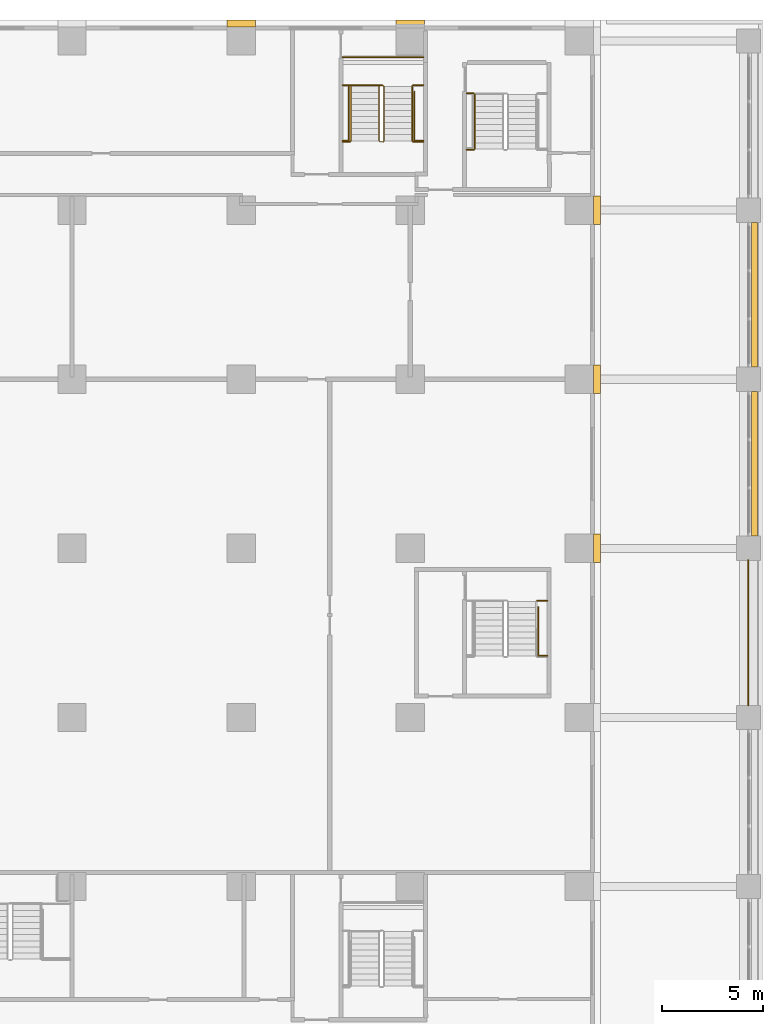
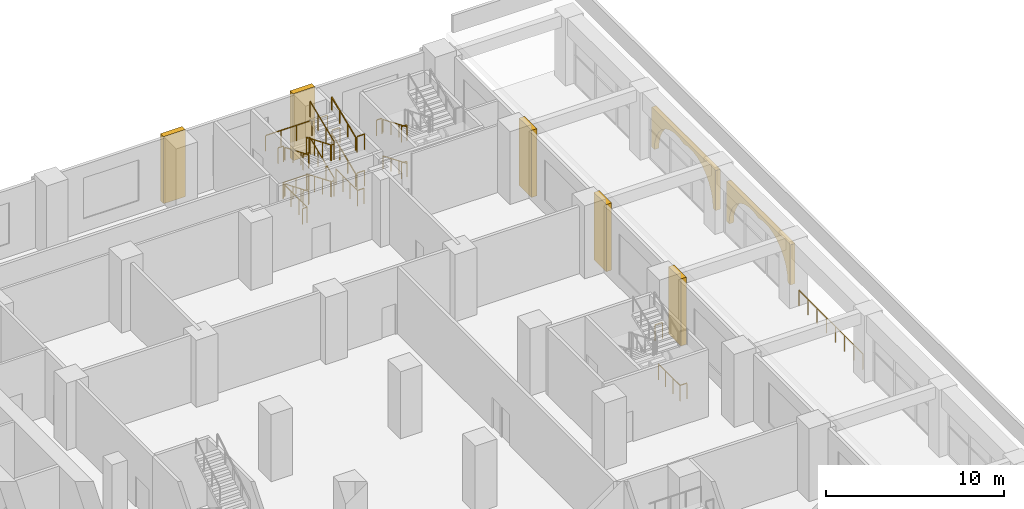
# One storey, part 28 of 29: 22 railings, 7 coverings.
"""IFC4 building model written with IfcOpenShell, lengths in metres."""

from ifc_helpers import new_model, si_unit, direction, frame, origin, origin_2d, place, context, subcontext, project, spatial, polyline, rectangle, outline, extrude, material, type_object, element, save


model = new_model("IFC4")

# Units and contexts
model_context = context("Model", 3, precision=1e-05, world=origin(), true_north=direction((0.0, 1.0)))
body_context = subcontext(model_context, "Body", "Model", "MODEL_VIEW")
ifc_project = project(units=[si_unit("LENGTHUNIT", "METRE"), si_unit("AREAUNIT", "SQUARE_METRE"), si_unit("VOLUMEUNIT", "CUBIC_METRE"), si_unit("PLANEANGLEUNIT", "RADIAN"), si_unit("MASSUNIT", "GRAM", prefix="KILO")], contexts=[model_context])

# Site, building, storey
site_placement = place(None, origin())
site = spatial("IfcSite", under=ifc_project, at=site_placement, CompositionType="ELEMENT")
building_placement = place(site_placement, origin())
building = spatial("IfcBuilding", under=site, at=building_placement, Name="Vermilion Ogive Tower", CompositionType="ELEMENT")
storey_placement = place(building_placement, frame((0.0, 0.0, 7.5)))
storey = spatial("IfcBuildingStorey", under=building, at=storey_placement, Name="L01", CompositionType="ELEMENT", Elevation=7.5)

# Railing
ifc_material_1 = material(Name="Stainless steel and glass", Category="steel")
railing_type_1 = type_object("IfcRailingType", Name="Arcade guard", PredefinedType="GUARDRAIL", material=ifc_material_1)
railing_1_placement = place(storey_placement, frame((58.800048828125, -3.60009765625, 0.0)))
element("IfcRailing", 1, at=railing_1_placement, inside=storey, type_object=railing_type_1, Name="Arcade guard L01", PredefinedType="GUARDRAIL", context=body_context, shape_type="SweptSolid", body=[
    extrude(rectangle(XDim=0.048095703125, YDim=0.048095703125, at=origin_2d()), frame((0.0, 0.0, 1.076171875), z_axis=(0.0, 1.0, 0.0), x_axis=(-1.0, 0.0, 0.0)), (0.0, 0.0, 1.0), 7.2001953125),
    extrude(rectangle(XDim=0.0419921875, YDim=0.0419921875, at=origin_2d()), origin(), (0.0, 0.0, 1.0), 1.052001953125),
    extrude(rectangle(XDim=0.0419921875, YDim=0.0419921875, at=origin_2d()), frame((0.0, 1.028564453125, 0.0)), (0.0, 0.0, 1.0), 1.052001953125),
    extrude(rectangle(XDim=0.0419921875, YDim=0.0419921875, at=origin_2d()), frame((0.0, 2.05712890625, 0.0)), (0.0, 0.0, 1.0), 1.052001953125),
    extrude(rectangle(XDim=0.0419921875, YDim=0.0419921875, at=origin_2d()), frame((0.0, 3.085693359375, 0.0)), (0.0, 0.0, 1.0), 1.052001953125),
    extrude(rectangle(XDim=0.0419921875, YDim=0.0419921875, at=origin_2d()), frame((0.0, 4.114501953125, 0.0)), (0.0, 0.0, 1.0), 1.052001953125),
    extrude(rectangle(XDim=0.0419921875, YDim=0.0419921875, at=origin_2d()), frame((0.0, 5.14306640625, 0.0)), (0.0, 0.0, 1.0), 1.052001953125),
    extrude(rectangle(XDim=0.0419921875, YDim=0.0419921875, at=origin_2d()), frame((0.0, 6.171630859375, 0.0)), (0.0, 0.0, 1.0), 1.052001953125),
    extrude(rectangle(XDim=0.0419921875, YDim=0.0419921875, at=origin_2d()), frame((0.0, 7.2001953125, 0.0)), (0.0, 0.0, 1.0), 1.052001953125),
])

# Coverings
ifc_material_2 = material(Name="Stone cladding", Category="masonry")
covering_type_1 = type_object("IfcCoveringType", Name="Arcade ogive head", PredefinedType="CLADDING", material=ifc_material_2)
for number, where, z_axis, x_axis, name in (
    (2, (58.949951171875, 8.39990234375, 3.39990234375), (1.0, 0.0, 0.0), (0.0, 1.0, 0.0), "Arcade stone head L01 5"),
    (3, (58.949951171875, 16.800048828125, 3.39990234375), (1.0, 0.0, 0.0), (0.0, 1.0, 0.0), "Arcade stone head L01 6"),
):
    element("IfcCovering", number, at=place(storey_placement, frame(where, z_axis=z_axis, x_axis=x_axis)), inside=storey, type_object=covering_type_1, Name=name, PredefinedType="CLADDING", context=body_context, shape_type="SweptSolid", body=[
        extrude(outline(polyline([(-3.300048828125, -2.75), (-3.244873046875, -2.225830078125), (-3.08203125, -1.724365234375), (-2.818603515625, -1.267822265625), (-2.466064453125, -0.8759765625), (-2.039794921875, -0.56591796875), (-1.558349609375, -0.351318359375), (-1.042724609375, -0.2412109375), (-0.515625, -0.240966796875), (0.0, -0.35009765625), (0.515625, -0.240966796875), (1.042724609375, -0.2412109375), (1.558349609375, -0.351318359375), (2.039794921875, -0.56591796875), (2.466064453125, -0.8759765625), (2.818603515625, -1.267822265625), (3.08203125, -1.724365234375), (3.244873046875, -2.225830078125), (3.300048828125, -2.75), (3.60009765625, -2.75), (3.60009765625, 0.0), (-3.60009765625, 0.0), (-3.60009765625, -2.75), (-3.300048828125, -2.75)])), origin(), (0.0, 0.0, 1.0), 0.300048828125),
    ])

# Railings
ifc_material_3 = material(Name="Steel S355 painted", Category="steel")
railing_type_2 = type_object("IfcRailingType", Name="Stair guard 1100", PredefinedType="GUARDRAIL", material=ifc_material_3)
railing_2_placement = place(storey_placement, frame((40.64990234375, 27.199951171875, 0.0)))
element("IfcRailing", 4, at=railing_2_placement, inside=storey, type_object=railing_type_2, Name="L01 PS2 stair guard 8", PredefinedType="GUARDRAIL", context=body_context, shape_type="SweptSolid", body=[
    extrude(rectangle(XDim=0.048095703125, YDim=0.048095703125, at=origin_2d()), frame((0.0, 0.0, 1.076171875), z_axis=(-1.0, 0.0, 0.0), x_axis=(0.0, -1.0, 0.0)), (0.0, 0.0, 1.0), 0.14990234375),
    extrude(rectangle(XDim=0.048095703125, YDim=0.048095703125, at=origin_2d()), frame((-0.14990234375, 0.0, 1.076171875), z_axis=(-0.34841279274, -0.34841279274, 0.870182194549), x_axis=(0.707106781187, -0.707106781187, 0.0)), (0.0, 0.0, 1.0), 0.1435546875),
    extrude(rectangle(XDim=0.048095703125, YDim=0.048095703125, at=origin_2d()), frame((-0.199951171875, -0.050048828125, 1.201171875), z_axis=(0.0, -0.923074453586, 0.384621311341), x_axis=(1.0, 0.0, 0.0)), (0.0, 0.0, 1.0), 2.925048828125),
    extrude(rectangle(XDim=0.048095703125, YDim=0.048095703125, at=origin_2d()), frame((-0.199951171875, -2.75, 2.326171875), z_axis=(0.707106781187, -0.707106781187, 0.0), x_axis=(0.707106781187, 0.707106781187, 0.0)), (0.0, 0.0, 1.0), 0.07080078125),
    extrude(rectangle(XDim=0.048095703125, YDim=0.048095703125, at=origin_2d()), frame((-0.14990234375, -2.800048828125, 2.326171875), z_axis=(1.0, 0.0, 0.0), x_axis=(0.0, 1.0, 0.0)), (0.0, 0.0, 1.0), 0.14990234375),
    extrude(rectangle(XDim=0.048095703125, YDim=0.048095703125, at=origin_2d()), frame((0.0, -2.800048828125, 2.326171875), z_axis=(0.34841279274, 0.34841279274, 0.870182194549), x_axis=(-0.707106781187, 0.707106781187, 0.0)), (0.0, 0.0, 1.0), 0.1435546875),
    extrude(rectangle(XDim=0.048095703125, YDim=0.048095703125, at=origin_2d()), frame((0.050048828125, -2.75, 2.451171875), z_axis=(0.0, 0.923074453586, 0.384621311341), x_axis=(-1.0, 0.0, 0.0)), (0.0, 0.0, 1.0), 2.925048828125),
    extrude(rectangle(XDim=0.048095703125, YDim=0.048095703125, at=origin_2d()), frame((0.050048828125, -0.050048828125, 3.576171875), z_axis=(-0.707106781187, 0.707106781187, 0.0), x_axis=(-0.707106781187, -0.707106781187, 0.0)), (0.0, 0.0, 1.0), 0.07080078125),
    extrude(rectangle(XDim=0.048095703125, YDim=0.048095703125, at=origin_2d()), frame((0.0, 0.0, 3.576171875), z_axis=(-1.0, 0.0, 0.0), x_axis=(0.0, -1.0, 0.0)), (0.0, 0.0, 1.0), 0.14990234375),
    extrude(rectangle(XDim=0.048095703125, YDim=0.048095703125, at=origin_2d()), frame((-0.14990234375, 0.0, 3.576171875), z_axis=(-0.34841279274, -0.34841279274, 0.870182194549), x_axis=(0.707106781187, -0.707106781187, 0.0)), (0.0, 0.0, 1.0), 0.1435546875),
    extrude(rectangle(XDim=0.048095703125, YDim=0.048095703125, at=origin_2d()), frame((-0.199951171875, -0.050048828125, 3.701171875), z_axis=(0.0, -0.923074453586, 0.384621311341), x_axis=(1.0, 0.0, 0.0)), (0.0, 0.0, 1.0), 2.925048828125),
    extrude(rectangle(XDim=0.048095703125, YDim=0.048095703125, at=origin_2d()), frame((-0.199951171875, -2.75, 4.826171875), z_axis=(0.707106781187, -0.707106781187, 0.0), x_axis=(0.707106781187, 0.707106781187, 0.0)), (0.0, 0.0, 1.0), 0.07080078125),
    extrude(rectangle(XDim=0.048095703125, YDim=0.048095703125, at=origin_2d()), frame((-0.14990234375, -2.800048828125, 4.826171875), z_axis=(1.0, 0.0, 0.0), x_axis=(0.0, 1.0, 0.0)), (0.0, 0.0, 1.0), 0.14990234375),
    extrude(rectangle(XDim=0.048095703125, YDim=0.048095703125, at=origin_2d()), frame((0.0, -2.800048828125, 4.826171875), z_axis=(0.34841279274, 0.34841279274, 0.870182194549), x_axis=(-0.707106781187, 0.707106781187, 0.0)), (0.0, 0.0, 1.0), 0.1435546875),
    extrude(rectangle(XDim=0.048095703125, YDim=0.048095703125, at=origin_2d()), frame((0.050048828125, -2.75, 4.951171875), z_axis=(0.0, 0.923074453586, 0.384621311341), x_axis=(-1.0, 0.0, 0.0)), (0.0, 0.0, 1.0), 2.925048828125),
    extrude(rectangle(XDim=0.0419921875, YDim=0.0419921875, at=origin_2d()), origin(), (0.0, 0.0, 1.0), 1.052001953125),
    extrude(rectangle(XDim=0.0419921875, YDim=0.0419921875, at=origin_2d()), frame((-0.14990234375, 0.0, 0.0)), (0.0, 0.0, 1.0), 1.052001953125),
    extrude(rectangle(XDim=0.0419921875, YDim=0.0419921875, at=origin_2d()), frame((-0.199951171875, -0.050048828125, 0.125)), (0.0, 0.0, 1.0), 1.052001953125),
    extrude(rectangle(XDim=0.0419921875, YDim=0.0419921875, at=origin_2d()), frame((-0.199951171875, -0.949951171875, 0.5)), (0.0, 0.0, 1.0), 1.052001953125),
    extrude(rectangle(XDim=0.0419921875, YDim=0.0419921875, at=origin_2d()), frame((-0.199951171875, -1.85009765625, 0.875)), (0.0, 0.0, 1.0), 1.052001953125),
    extrude(rectangle(XDim=0.0419921875, YDim=0.0419921875, at=origin_2d()), frame((-0.199951171875, -2.75, 1.25)), (0.0, 0.0, 1.0), 1.052001953125),
    extrude(rectangle(XDim=0.0419921875, YDim=0.0419921875, at=origin_2d()), frame((-0.14990234375, -2.800048828125, 1.25)), (0.0, 0.0, 1.0), 1.052001953125),
    extrude(rectangle(XDim=0.0419921875, YDim=0.0419921875, at=origin_2d()), frame((0.0, -2.800048828125, 1.25)), (0.0, 0.0, 1.0), 1.052001953125),
    extrude(rectangle(XDim=0.0419921875, YDim=0.0419921875, at=origin_2d()), frame((0.050048828125, -2.75, 1.375)), (0.0, 0.0, 1.0), 1.052001953125),
    extrude(rectangle(XDim=0.0419921875, YDim=0.0419921875, at=origin_2d()), frame((0.050048828125, -1.85009765625, 1.75)), (0.0, 0.0, 1.0), 1.052001953125),
    extrude(rectangle(XDim=0.0419921875, YDim=0.0419921875, at=origin_2d()), frame((0.050048828125, -0.949951171875, 2.125)), (0.0, 0.0, 1.0), 1.052001953125),
    extrude(rectangle(XDim=0.0419921875, YDim=0.0419921875, at=origin_2d()), frame((0.050048828125, -0.050048828125, 2.5)), (0.0, 0.0, 1.0), 1.052001953125),
    extrude(rectangle(XDim=0.0419921875, YDim=0.0419921875, at=origin_2d()), frame((0.0, 0.0, 2.5)), (0.0, 0.0, 1.0), 1.052001953125),
    extrude(rectangle(XDim=0.0419921875, YDim=0.0419921875, at=origin_2d()), frame((-0.14990234375, 0.0, 2.5)), (0.0, 0.0, 1.0), 1.052001953125),
    extrude(rectangle(XDim=0.0419921875, YDim=0.0419921875, at=origin_2d()), frame((-0.199951171875, -0.050048828125, 2.625)), (0.0, 0.0, 1.0), 1.052001953125),
    extrude(rectangle(XDim=0.0419921875, YDim=0.0419921875, at=origin_2d()), frame((-0.199951171875, -0.949951171875, 3.0)), (0.0, 0.0, 1.0), 1.052001953125),
    extrude(rectangle(XDim=0.0419921875, YDim=0.0419921875, at=origin_2d()), frame((-0.199951171875, -1.85009765625, 3.375)), (0.0, 0.0, 1.0), 1.052001953125),
    extrude(rectangle(XDim=0.0419921875, YDim=0.0419921875, at=origin_2d()), frame((-0.199951171875, -2.75, 3.75)), (0.0, 0.0, 1.0), 1.052001953125),
    extrude(rectangle(XDim=0.0419921875, YDim=0.0419921875, at=origin_2d()), frame((-0.14990234375, -2.800048828125, 3.75)), (0.0, 0.0, 1.0), 1.052001953125),
    extrude(rectangle(XDim=0.0419921875, YDim=0.0419921875, at=origin_2d()), frame((0.0, -2.800048828125, 3.75)), (0.0, 0.0, 1.0), 1.052001953125),
    extrude(rectangle(XDim=0.0419921875, YDim=0.0419921875, at=origin_2d()), frame((0.050048828125, -2.75, 3.875)), (0.0, 0.0, 1.0), 1.052001953125),
    extrude(rectangle(XDim=0.0419921875, YDim=0.0419921875, at=origin_2d()), frame((0.050048828125, -1.85009765625, 4.25)), (0.0, 0.0, 1.0), 1.052001953125),
    extrude(rectangle(XDim=0.0419921875, YDim=0.0419921875, at=origin_2d()), frame((0.050048828125, -0.949951171875, 4.625)), (0.0, 0.0, 1.0), 1.052001953125),
    extrude(rectangle(XDim=0.0419921875, YDim=0.0419921875, at=origin_2d()), frame((0.050048828125, -0.050048828125, 5.0)), (0.0, 0.0, 1.0), 1.052001953125),
])
railing_3_placement = place(storey_placement, frame((38.650146484375, 24.39990234375, 1.25)))
element("IfcRailing", 5, at=railing_3_placement, inside=storey, type_object=railing_type_2, Name="L01 landing guard", PredefinedType="GUARDRAIL", context=body_context, shape_type="SweptSolid", body=[
    extrude(rectangle(XDim=0.048095703125, YDim=0.048095703125, at=origin_2d()), frame((0.0, 0.0, 1.076171875), z_axis=(1.0, 0.0, 0.0), x_axis=(0.0, 1.0, 0.0)), (0.0, 0.0, 1.0), 0.349853515625),
    extrude(rectangle(XDim=0.0419921875, YDim=0.0419921875, at=origin_2d()), origin(), (0.0, 0.0, 1.0), 1.052001953125),
    extrude(rectangle(XDim=0.0419921875, YDim=0.0419921875, at=origin_2d()), frame((0.349853515625, 0.0, 0.0)), (0.0, 0.0, 1.0), 1.052001953125),
])
railing_4_placement = place(storey_placement, frame((42.14990234375, 24.39990234375, 1.25)))
element("IfcRailing", 6, at=railing_4_placement, inside=storey, type_object=railing_type_2, Name="L01 landing guard", PredefinedType="GUARDRAIL", context=body_context, shape_type="SweptSolid", body=[
    extrude(rectangle(XDim=0.048095703125, YDim=0.048095703125, at=origin_2d()), frame((0.0, 0.0, 1.076171875), z_axis=(1.0, 0.0, 0.0), x_axis=(0.0, 1.0, 0.0)), (0.0, 0.0, 1.0), 0.5),
    extrude(rectangle(XDim=0.0419921875, YDim=0.0419921875, at=origin_2d()), origin(), (0.0, 0.0, 1.0), 1.052001953125),
    extrude(rectangle(XDim=0.0419921875, YDim=0.0419921875, at=origin_2d()), frame((0.5, 0.0, 0.0)), (0.0, 0.0, 1.0), 1.052001953125),
])
railing_5_placement = place(storey_placement, frame((38.650146484375, 28.60009765625, 2.5)))
element("IfcRailing", 7, at=railing_5_placement, inside=storey, type_object=railing_type_2, Name="L01 landing guard", PredefinedType="GUARDRAIL", context=body_context, shape_type="SweptSolid", body=[
    extrude(rectangle(XDim=0.048095703125, YDim=0.048095703125, at=origin_2d()), frame((0.0, 0.0, 1.076171875), z_axis=(1.0, 0.0, 0.0), x_axis=(0.0, 1.0, 0.0)), (0.0, 0.0, 1.0), 3.999755859375),
    extrude(rectangle(XDim=0.0419921875, YDim=0.0419921875, at=origin_2d()), origin(), (0.0, 0.0, 1.0), 1.052001953125),
    extrude(rectangle(XDim=0.0419921875, YDim=0.0419921875, at=origin_2d()), frame((1.0, 0.0, 0.0)), (0.0, 0.0, 1.0), 1.052001953125),
    extrude(rectangle(XDim=0.0419921875, YDim=0.0419921875, at=origin_2d()), frame((2.0, 0.0, 0.0)), (0.0, 0.0, 1.0), 1.052001953125),
    extrude(rectangle(XDim=0.0419921875, YDim=0.0419921875, at=origin_2d()), frame((2.999755859375, 0.0, 0.0)), (0.0, 0.0, 1.0), 1.052001953125),
    extrude(rectangle(XDim=0.0419921875, YDim=0.0419921875, at=origin_2d()), frame((3.999755859375, 0.0, 0.0)), (0.0, 0.0, 1.0), 1.052001953125),
])
railing_6_placement = place(storey_placement, frame((38.650146484375, 27.199951171875, 2.5)))
element("IfcRailing", 8, at=railing_6_placement, inside=storey, type_object=railing_type_2, Name="L01 landing guard", PredefinedType="GUARDRAIL", context=body_context, shape_type="SweptSolid", body=[
    extrude(rectangle(XDim=0.048095703125, YDim=0.048095703125, at=origin_2d()), frame((0.0, 0.0, 1.076171875), z_axis=(1.0, 0.0, 0.0), x_axis=(0.0, 1.0, 0.0)), (0.0, 0.0, 1.0), 0.349853515625),
    extrude(rectangle(XDim=0.0419921875, YDim=0.0419921875, at=origin_2d()), origin(), (0.0, 0.0, 1.0), 1.052001953125),
    extrude(rectangle(XDim=0.0419921875, YDim=0.0419921875, at=origin_2d()), frame((0.349853515625, 0.0, 0.0)), (0.0, 0.0, 1.0), 1.052001953125),
])
railing_7_placement = place(storey_placement, frame((42.14990234375, 27.199951171875, 2.5)))
element("IfcRailing", 9, at=railing_7_placement, inside=storey, type_object=railing_type_2, Name="L01 landing guard", PredefinedType="GUARDRAIL", context=body_context, shape_type="SweptSolid", body=[
    extrude(rectangle(XDim=0.048095703125, YDim=0.048095703125, at=origin_2d()), frame((0.0, 0.0, 1.076171875), z_axis=(1.0, 0.0, 0.0), x_axis=(0.0, 1.0, 0.0)), (0.0, 0.0, 1.0), 0.5),
    extrude(rectangle(XDim=0.0419921875, YDim=0.0419921875, at=origin_2d()), origin(), (0.0, 0.0, 1.0), 1.052001953125),
    extrude(rectangle(XDim=0.0419921875, YDim=0.0419921875, at=origin_2d()), frame((0.5, 0.0, 0.0)), (0.0, 0.0, 1.0), 1.052001953125),
])
railing_8_placement = place(storey_placement, frame((38.650146484375, 24.39990234375, 3.75)))
element("IfcRailing", 10, at=railing_8_placement, inside=storey, type_object=railing_type_2, Name="L01 landing guard", PredefinedType="GUARDRAIL", context=body_context, shape_type="SweptSolid", body=[
    extrude(rectangle(XDim=0.048095703125, YDim=0.048095703125, at=origin_2d()), frame((0.0, 0.0, 1.076171875), z_axis=(1.0, 0.0, 0.0), x_axis=(0.0, 1.0, 0.0)), (0.0, 0.0, 1.0), 0.349853515625),
    extrude(rectangle(XDim=0.0419921875, YDim=0.0419921875, at=origin_2d()), origin(), (0.0, 0.0, 1.0), 1.052001953125),
    extrude(rectangle(XDim=0.0419921875, YDim=0.0419921875, at=origin_2d()), frame((0.349853515625, 0.0, 0.0)), (0.0, 0.0, 1.0), 1.052001953125),
])
railing_9_placement = place(storey_placement, frame((42.14990234375, 24.39990234375, 3.75)))
element("IfcRailing", 11, at=railing_9_placement, inside=storey, type_object=railing_type_2, Name="L01 landing guard", PredefinedType="GUARDRAIL", context=body_context, shape_type="SweptSolid", body=[
    extrude(rectangle(XDim=0.048095703125, YDim=0.048095703125, at=origin_2d()), frame((0.0, 0.0, 1.076171875), z_axis=(1.0, 0.0, 0.0), x_axis=(0.0, 1.0, 0.0)), (0.0, 0.0, 1.0), 0.5),
    extrude(rectangle(XDim=0.0419921875, YDim=0.0419921875, at=origin_2d()), origin(), (0.0, 0.0, 1.0), 1.052001953125),
    extrude(rectangle(XDim=0.0419921875, YDim=0.0419921875, at=origin_2d()), frame((0.5, 0.0, 0.0)), (0.0, 0.0, 1.0), 1.052001953125),
])
for number, where, name in (
    (12, (44.800048828125, 24.0, 1.25), "L01 landing guard"),
    (13, (44.800048828125, 26.800048828125, 2.5), "L01 landing guard"),
    (14, (44.800048828125, 24.0, 3.75), "L01 landing guard"),
):
    element("IfcRailing", number, at=place(storey_placement, frame(where)), inside=storey, type_object=railing_type_2, Name=name, PredefinedType="GUARDRAIL", context=body_context, shape_type="SweptSolid", body=[
        extrude(rectangle(XDim=0.048095703125, YDim=0.048095703125, at=origin_2d()), frame((0.0, 0.0, 1.076171875), z_axis=(1.0, 0.0, 0.0), x_axis=(0.0, 1.0, 0.0)), (0.0, 0.0, 1.0), 0.349853515625),
        extrude(rectangle(XDim=0.0419921875, YDim=0.0419921875, at=origin_2d()), origin(), (0.0, 0.0, 1.0), 1.052001953125),
        extrude(rectangle(XDim=0.0419921875, YDim=0.0419921875, at=origin_2d()), frame((0.349853515625, 0.0, 0.0)), (0.0, 0.0, 1.0), 1.052001953125),
    ])
railing_10_placement = place(storey_placement, frame((48.300048828125, 1.60009765625, 2.5)))
element("IfcRailing", 15, at=railing_10_placement, inside=storey, type_object=railing_type_2, Name="L01 landing guard", PredefinedType="GUARDRAIL", context=body_context, shape_type="SweptSolid", body=[
    extrude(rectangle(XDim=0.048095703125, YDim=0.048095703125, at=origin_2d()), frame((0.0, 0.0, 1.076171875), z_axis=(1.0, 0.0, 0.0), x_axis=(0.0, 1.0, 0.0)), (0.0, 0.0, 1.0), 0.499755859375),
    extrude(rectangle(XDim=0.0419921875, YDim=0.0419921875, at=origin_2d()), origin(), (0.0, 0.0, 1.0), 1.052001953125),
    extrude(rectangle(XDim=0.0419921875, YDim=0.0419921875, at=origin_2d()), frame((0.499755859375, 0.0, 0.0)), (0.0, 0.0, 1.0), 1.052001953125),
])
railing_11_placement = place(storey_placement, frame((42.208984375, 26.884765625, 0.0)))
element("IfcRailing", 16, at=railing_11_placement, inside=storey, type_object=railing_type_2, Name="L01 stair opening guard", PredefinedType="GUARDRAIL", context=body_context, shape_type="SweptSolid", body=[
    extrude(rectangle(XDim=0.048095703125, YDim=0.048095703125, at=origin_2d()), frame((0.0, 0.0, 1.076171875), z_axis=(0.0, -1.0, 0.0), x_axis=(1.0, 0.0, 0.0)), (0.0, 0.0, 1.0), 2.424072265625),
    extrude(rectangle(XDim=0.048095703125, YDim=0.048095703125, at=origin_2d()), frame((0.0, -2.424072265625, 1.076171875), z_axis=(1.0, 0.0, 0.0), x_axis=(0.0, 1.0, 0.0)), (0.0, 0.0, 1.0), 0.43994140625),
    extrude(rectangle(XDim=0.0419921875, YDim=0.0419921875, at=origin_2d()), origin(), (0.0, 0.0, 1.0), 1.052001953125),
    extrude(rectangle(XDim=0.0419921875, YDim=0.0419921875, at=origin_2d()), frame((0.0, -0.80810546875, 0.0)), (0.0, 0.0, 1.0), 1.052001953125),
    extrude(rectangle(XDim=0.0419921875, YDim=0.0419921875, at=origin_2d()), frame((0.0, -1.615966796875, 0.0)), (0.0, 0.0, 1.0), 1.052001953125),
    extrude(rectangle(XDim=0.0419921875, YDim=0.0419921875, at=origin_2d()), frame((0.0, -2.424072265625, 0.0)), (0.0, 0.0, 1.0), 1.052001953125),
    extrude(rectangle(XDim=0.0419921875, YDim=0.0419921875, at=origin_2d()), frame((0.43994140625, -2.424072265625, 0.0)), (0.0, 0.0, 1.0), 1.052001953125),
])
railing_12_placement = place(storey_placement, frame((38.650390625, 24.456298828125, 0.0)))
element("IfcRailing", 17, at=railing_12_placement, inside=storey, type_object=railing_type_2, Name="L01 stair opening guard", PredefinedType="GUARDRAIL", context=body_context, shape_type="SweptSolid", body=[
    extrude(rectangle(XDim=0.048095703125, YDim=0.048095703125, at=origin_2d()), frame((0.0, 0.0, 1.076171875), z_axis=(1.0, 0.0, 0.0), x_axis=(0.0, 1.0, 0.0)), (0.0, 0.0, 1.0), 0.289794921875),
    extrude(rectangle(XDim=0.048095703125, YDim=0.048095703125, at=origin_2d()), frame((0.289794921875, 0.0, 1.076171875), z_axis=(0.0, 1.0, 0.0), x_axis=(-1.0, 0.0, 0.0)), (0.0, 0.0, 1.0), 2.699951171875),
    extrude(rectangle(XDim=0.048095703125, YDim=0.048095703125, at=origin_2d()), frame((0.289794921875, 2.699951171875, 1.076171875), z_axis=(0.744048711529, 0.668125373618, 0.0), x_axis=(-0.668125373618, 0.744048711529, 0.0)), (0.0, 0.0, 1.0), 0.080322265625),
    extrude(rectangle(XDim=0.048095703125, YDim=0.048095703125, at=origin_2d()), frame((0.349609375, 2.753662109375, 1.076171875), z_axis=(1.0, 0.0, 0.0), x_axis=(0.0, 1.0, 0.0)), (0.0, 0.0, 1.0), 1.60009765625),
    extrude(rectangle(XDim=0.0419921875, YDim=0.0419921875, at=origin_2d()), origin(), (0.0, 0.0, 1.0), 1.052001953125),
    extrude(rectangle(XDim=0.0419921875, YDim=0.0419921875, at=origin_2d()), frame((0.289794921875, 0.0, 0.0)), (0.0, 0.0, 1.0), 1.052001953125),
    extrude(rectangle(XDim=0.0419921875, YDim=0.0419921875, at=origin_2d()), frame((0.289794921875, 0.89990234375, 0.0)), (0.0, 0.0, 1.0), 1.052001953125),
    extrude(rectangle(XDim=0.0419921875, YDim=0.0419921875, at=origin_2d()), frame((0.289794921875, 1.800048828125, 0.0)), (0.0, 0.0, 1.0), 1.052001953125),
    extrude(rectangle(XDim=0.0419921875, YDim=0.0419921875, at=origin_2d()), frame((0.289794921875, 2.699951171875, 0.0)), (0.0, 0.0, 1.0), 1.052001953125),
    extrude(rectangle(XDim=0.0419921875, YDim=0.0419921875, at=origin_2d()), frame((0.349609375, 2.753662109375, 0.0)), (0.0, 0.0, 1.0), 1.052001953125),
    extrude(rectangle(XDim=0.0419921875, YDim=0.0419921875, at=origin_2d()), frame((1.149658203125, 2.753662109375, 0.0)), (0.0, 0.0, 1.0), 1.052001953125),
    extrude(rectangle(XDim=0.0419921875, YDim=0.0419921875, at=origin_2d()), frame((1.94970703125, 2.753662109375, 0.0)), (0.0, 0.0, 1.0), 1.052001953125),
])
railing_13_placement = place(storey_placement, frame((48.359130859375, 1.28515625, 0.0)))
element("IfcRailing", 18, at=railing_13_placement, inside=storey, type_object=railing_type_2, Name="L01 stair opening guard", PredefinedType="GUARDRAIL", context=body_context, shape_type="SweptSolid", body=[
    extrude(rectangle(XDim=0.048095703125, YDim=0.048095703125, at=origin_2d()), frame((0.0, 0.0, 1.076171875), z_axis=(0.0, -1.0, 0.0), x_axis=(1.0, 0.0, 0.0)), (0.0, 0.0, 1.0), 2.424560546875),
    extrude(rectangle(XDim=0.048095703125, YDim=0.048095703125, at=origin_2d()), frame((0.0, -2.424560546875, 1.076171875), z_axis=(1.0, 0.0, 0.0), x_axis=(0.0, 1.0, 0.0)), (0.0, 0.0, 1.0), 0.439697265625),
    extrude(rectangle(XDim=0.0419921875, YDim=0.0419921875, at=origin_2d()), origin(), (0.0, 0.0, 1.0), 1.052001953125),
    extrude(rectangle(XDim=0.0419921875, YDim=0.0419921875, at=origin_2d()), frame((0.0, -0.80810546875, 0.0)), (0.0, 0.0, 1.0), 1.052001953125),
    extrude(rectangle(XDim=0.0419921875, YDim=0.0419921875, at=origin_2d()), frame((0.0, -1.616455078125, 0.0)), (0.0, 0.0, 1.0), 1.052001953125),
    extrude(rectangle(XDim=0.0419921875, YDim=0.0419921875, at=origin_2d()), frame((0.0, -2.424560546875, 0.0)), (0.0, 0.0, 1.0), 1.052001953125),
    extrude(rectangle(XDim=0.0419921875, YDim=0.0419921875, at=origin_2d()), frame((0.439697265625, -2.424560546875, 0.0)), (0.0, 0.0, 1.0), 1.052001953125),
])
ifc_material_4 = material(Name="Stainless steel", Category="steel")
railing_type_3 = type_object("IfcRailingType", Name="Stair handrail 900", PredefinedType="HANDRAIL", material=ifc_material_4)
railing_14_placement = place(storey_placement, frame((39.050048828125, 27.14990234375, 0.125)))
element("IfcRailing", 19, at=railing_14_placement, inside=storey, type_object=railing_type_3, Name="L01 PS2 stair handrail 1", PredefinedType="HANDRAIL", context=body_context, shape_type="SweptSolid", body=[
    extrude(rectangle(XDim=0.048095703125, YDim=0.048095703125, at=origin_2d()), frame((0.0, 0.0, 0.8759765625), z_axis=(0.0, -0.923074453586, 0.384621311341), x_axis=(1.0, 0.0, 0.0)), (0.0, 0.0, 1.0), 2.925048828125),
    extrude(rectangle(XDim=0.0419921875, YDim=0.0419921875, at=origin_2d()), origin(), (0.0, 0.0, 1.0), 0.851806640625),
    extrude(rectangle(XDim=0.0419921875, YDim=0.0419921875, at=origin_2d()), frame((0.0, -0.89990234375, 0.375)), (0.0, 0.0, 1.0), 0.851806640625),
    extrude(rectangle(XDim=0.0419921875, YDim=0.0419921875, at=origin_2d()), frame((0.0, -1.800048828125, 0.75)), (0.0, 0.0, 1.0), 0.851806640625),
    extrude(rectangle(XDim=0.0419921875, YDim=0.0419921875, at=origin_2d()), frame((0.0, -2.699951171875, 1.125)), (0.0, 0.0, 1.0), 0.851806640625),
])
railing_15_placement = place(storey_placement, frame((42.10009765625, 24.449951171875, 1.375)))
element("IfcRailing", 20, at=railing_15_placement, inside=storey, type_object=railing_type_3, Name="L01 PS2 stair handrail 2", PredefinedType="HANDRAIL", context=body_context, shape_type="SweptSolid", body=[
    extrude(rectangle(XDim=0.048095703125, YDim=0.048095703125, at=origin_2d()), frame((0.0, 0.0, 0.8759765625), z_axis=(0.0, 0.923074453586, 0.384621311341), x_axis=(-1.0, 0.0, 0.0)), (0.0, 0.0, 1.0), 2.925048828125),
    extrude(rectangle(XDim=0.0419921875, YDim=0.0419921875, at=origin_2d()), origin(), (0.0, 0.0, 1.0), 0.851806640625),
    extrude(rectangle(XDim=0.0419921875, YDim=0.0419921875, at=origin_2d()), frame((0.0, 0.89990234375, 0.375)), (0.0, 0.0, 1.0), 0.851806640625),
    extrude(rectangle(XDim=0.0419921875, YDim=0.0419921875, at=origin_2d()), frame((0.0, 1.800048828125, 0.75)), (0.0, 0.0, 1.0), 0.851806640625),
    extrude(rectangle(XDim=0.0419921875, YDim=0.0419921875, at=origin_2d()), frame((0.0, 2.699951171875, 1.125)), (0.0, 0.0, 1.0), 0.851806640625),
])
railing_16_placement = place(storey_placement, frame((39.050048828125, 27.14990234375, 2.625)))
element("IfcRailing", 21, at=railing_16_placement, inside=storey, type_object=railing_type_3, Name="L01 PS2 stair handrail 3", PredefinedType="HANDRAIL", context=body_context, shape_type="SweptSolid", body=[
    extrude(rectangle(XDim=0.048095703125, YDim=0.048095703125, at=origin_2d()), frame((0.0, 0.0, 0.8759765625), z_axis=(0.0, -0.923074453586, 0.384621311341), x_axis=(1.0, 0.0, 0.0)), (0.0, 0.0, 1.0), 2.925048828125),
    extrude(rectangle(XDim=0.0419921875, YDim=0.0419921875, at=origin_2d()), origin(), (0.0, 0.0, 1.0), 0.851806640625),
    extrude(rectangle(XDim=0.0419921875, YDim=0.0419921875, at=origin_2d()), frame((0.0, -0.89990234375, 0.375)), (0.0, 0.0, 1.0), 0.851806640625),
    extrude(rectangle(XDim=0.0419921875, YDim=0.0419921875, at=origin_2d()), frame((0.0, -1.800048828125, 0.75)), (0.0, 0.0, 1.0), 0.851806640625),
    extrude(rectangle(XDim=0.0419921875, YDim=0.0419921875, at=origin_2d()), frame((0.0, -2.699951171875, 1.125)), (0.0, 0.0, 1.0), 0.851806640625),
])
railing_17_placement = place(storey_placement, frame((42.10009765625, 24.449951171875, 3.875)))
element("IfcRailing", 22, at=railing_17_placement, inside=storey, type_object=railing_type_3, Name="L01 PS2 stair handrail 4", PredefinedType="HANDRAIL", context=body_context, shape_type="SweptSolid", body=[
    extrude(rectangle(XDim=0.048095703125, YDim=0.048095703125, at=origin_2d()), frame((0.0, 0.0, 0.8759765625), z_axis=(0.0, 0.923074453586, 0.384621311341), x_axis=(-1.0, 0.0, 0.0)), (0.0, 0.0, 1.0), 2.925048828125),
    extrude(rectangle(XDim=0.0419921875, YDim=0.0419921875, at=origin_2d()), origin(), (0.0, 0.0, 1.0), 0.851806640625),
    extrude(rectangle(XDim=0.0419921875, YDim=0.0419921875, at=origin_2d()), frame((0.0, 0.89990234375, 0.375)), (0.0, 0.0, 1.0), 0.851806640625),
    extrude(rectangle(XDim=0.0419921875, YDim=0.0419921875, at=origin_2d()), frame((0.0, 1.800048828125, 0.75)), (0.0, 0.0, 1.0), 0.851806640625),
    extrude(rectangle(XDim=0.0419921875, YDim=0.0419921875, at=origin_2d()), frame((0.0, 2.699951171875, 1.125)), (0.0, 0.0, 1.0), 0.851806640625),
])
for number, where, name in (
    (23, (45.199951171875, 26.75, 0.125), "L01 PEN stair handrail 1"),
    (24, (45.199951171875, 26.75, 2.625), "L01 PEN stair handrail 3"),
):
    element("IfcRailing", number, at=place(storey_placement, frame(where)), inside=storey, type_object=railing_type_3, Name=name, PredefinedType="HANDRAIL", context=body_context, shape_type="SweptSolid", body=[
        extrude(rectangle(XDim=0.048095703125, YDim=0.048095703125, at=origin_2d()), frame((0.0, 0.0, 0.8759765625), z_axis=(0.0, -0.923074453586, 0.384621311341), x_axis=(1.0, 0.0, 0.0)), (0.0, 0.0, 1.0), 2.925048828125),
        extrude(rectangle(XDim=0.0419921875, YDim=0.0419921875, at=origin_2d()), origin(), (0.0, 0.0, 1.0), 0.851806640625),
        extrude(rectangle(XDim=0.0419921875, YDim=0.0419921875, at=origin_2d()), frame((0.0, -0.89990234375, 0.375)), (0.0, 0.0, 1.0), 0.851806640625),
        extrude(rectangle(XDim=0.0419921875, YDim=0.0419921875, at=origin_2d()), frame((0.0, -1.800048828125, 0.75)), (0.0, 0.0, 1.0), 0.851806640625),
        extrude(rectangle(XDim=0.0419921875, YDim=0.0419921875, at=origin_2d()), frame((0.0, -2.699951171875, 1.125)), (0.0, 0.0, 1.0), 0.851806640625),
    ])

# Coverings
ifc_material_5 = material(Name="Stone cladding", Category="masonry")
covering_type_2 = type_object("IfcCoveringType", Name="Stone pier", PredefinedType="CLADDING", material=ifc_material_5)
covering_1_placement = place(storey_placement, origin())
element("IfcCovering", 25, at=covering_1_placement, inside=storey, type_object=covering_type_2, Name="Stone pier P+336+294", PredefinedType="CLADDING", context=body_context, shape_type="SweptSolid", body=[
    extrude(outline(polyline([(32.89990234375, 30.449951171875), (34.300048828125, 30.449951171875), (34.300048828125, 30.10009765625), (32.89990234375, 30.10009765625), (32.89990234375, 30.449951171875)])), origin(), (0.0, 0.0, 1.0), 4.60009765625),
])
covering_2_placement = place(storey_placement, origin())
element("IfcCovering", 26, at=covering_2_placement, inside=storey, type_object=covering_type_2, Name="Stone pier P+420+294", PredefinedType="CLADDING", context=body_context, shape_type="SweptSolid", body=[
    extrude(outline(polyline([(41.300048828125, 30.449951171875), (42.699951171875, 30.449951171875), (42.699951171875, 30.10009765625), (41.300048828125, 30.10009765625), (41.300048828125, 30.449951171875)])), origin(), (0.0, 0.0, 1.0), 4.60009765625),
])
covering_3_placement = place(storey_placement, origin())
element("IfcCovering", 27, at=covering_3_placement, inside=storey, type_object=covering_type_2, Name="Stone pier P+504+042", PredefinedType="CLADDING", context=body_context, shape_type="SweptSolid", body=[
    extrude(outline(polyline([(51.10009765625, 4.89990234375), (51.449951171875, 4.89990234375), (51.449951171875, 3.5), (51.10009765625, 3.5), (51.10009765625, 4.89990234375), (51.10009765625, 4.89990234375)])), origin(), (0.0, 0.0, 1.0), 4.60009765625),
])
covering_4_placement = place(storey_placement, origin())
element("IfcCovering", 28, at=covering_4_placement, inside=storey, type_object=covering_type_2, Name="Stone pier P+504+126", PredefinedType="CLADDING", context=body_context, shape_type="SweptSolid", body=[
    extrude(outline(polyline([(51.10009765625, 13.300048828125), (51.10009765625, 13.300048828125), (51.449951171875, 13.300048828125), (51.449951171875, 11.89990234375), (51.10009765625, 11.89990234375), (51.10009765625, 11.89990234375), (51.10009765625, 13.300048828125)])), origin(), (0.0, 0.0, 1.0), 4.60009765625),
])
covering_5_placement = place(storey_placement, origin())
element("IfcCovering", 29, at=covering_5_placement, inside=storey, type_object=covering_type_2, Name="Stone pier P+504+210", PredefinedType="CLADDING", context=body_context, shape_type="SweptSolid", body=[
    extrude(outline(polyline([(51.10009765625, 21.699951171875), (51.10009765625, 21.699951171875), (51.449951171875, 21.699951171875), (51.449951171875, 20.300048828125), (51.10009765625, 20.300048828125), (51.10009765625, 20.300048828125), (51.10009765625, 21.699951171875)])), origin(), (0.0, 0.0, 1.0), 4.60009765625),
])

save(model, "model.ifc")
